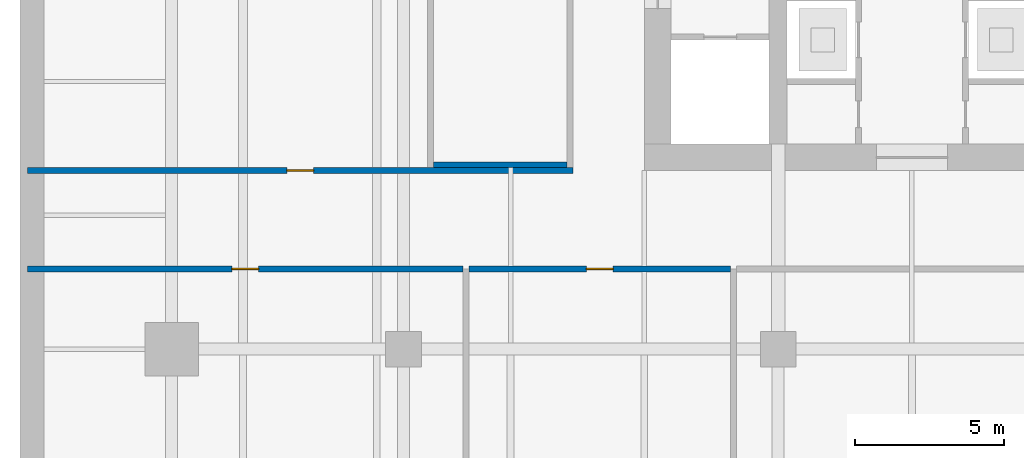
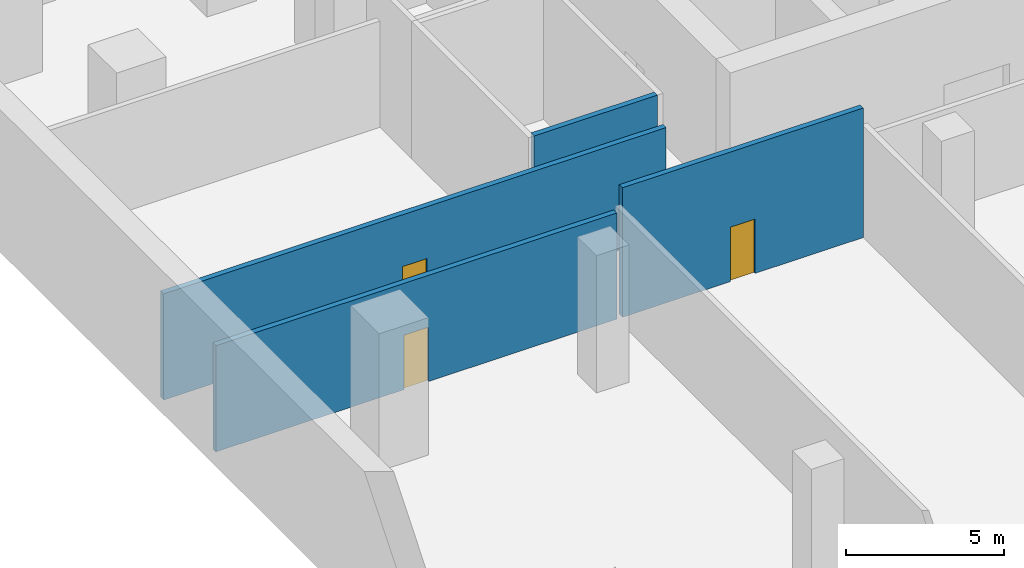
# One storey, part 4 of 11: 4 walls, 3 doors, 3 openings.
"""IFC4 building model written with IfcOpenShell, lengths in metres."""

from ifc_helpers import new_model, si_unit, direction, frame, frame_2d, origin, place, context, subcontext, project, spatial, rectangle, extrude, material, layer, layer_set, type_object, element, fill, save


model = new_model("IFC4")

# Units and contexts
model_context = context("Model", 3, precision=1e-05, world=origin(), true_north=direction((0.0, 1.0)))
body_context = subcontext(model_context, "Body", "Model", "MODEL_VIEW")
ifc_project = project(units=[si_unit("LENGTHUNIT", "METRE"), si_unit("AREAUNIT", "SQUARE_METRE"), si_unit("VOLUMEUNIT", "CUBIC_METRE"), si_unit("PLANEANGLEUNIT", "RADIAN"), si_unit("MASSUNIT", "GRAM", prefix="KILO")], contexts=[model_context])

# Site, building, storey
site_placement = place(None, origin())
site = spatial("IfcSite", under=ifc_project, at=site_placement, CompositionType="ELEMENT")
building_placement = place(site_placement, origin())
building = spatial("IfcBuilding", under=site, at=building_placement, Name="Rattan Terrace Tower", CompositionType="ELEMENT")
storey_placement = place(building_placement, frame((0.0, 0.0, -5.5)))
storey = spatial("IfcBuildingStorey", under=building, at=storey_placement, Name="B1", CompositionType="ELEMENT", Elevation=-5.5)

# Wall, opening, door
ifc_material_1 = material(Name="Concrete block wall, plastered", Category="concrete")
ifc_layer_1 = layer(ifc_material_1, 0.199951171875)
ifc_layer_set_1 = layer_set([ifc_layer_1], Name="Floors Plant Wall 200")
wall_type_1 = type_object("IfcWallType", Name="Floors Plant Wall 200", PredefinedType="PARTITIONING", material=ifc_layer_set_1)
wall_1_placement = place(storey_placement, frame((-24.10009765625, -10.800048828125, 0.0), z_axis=(0.0, 0.0, 1.0), x_axis=(-1.0, 0.0, 0.0)))
wall_1 = element("IfcWall", 1, at=wall_1_placement, inside=storey, type_object=wall_type_1, Name="pt-B1-001", PredefinedType="PARTITIONING", context=body_context, shape_type="SweptSolid", body=[
    extrude(rectangle(XDim=14.639892578125, YDim=0.199951171875, at=frame_2d((7.31982421875, 0.0))), origin(), (0.0, 0.0, 1.0), 4.10009765625),
])
opening_1_placement = place(wall_1_placement, frame((6.8701171875, 0.0, 0.0)))
opening_1 = element("IfcOpeningElement", 2, at=opening_1_placement, cuts=wall_1, Name="Opening B1-D100", PredefinedType="OPENING", context=body_context, shape_type="SweptSolid", body=[
    extrude(rectangle(XDim=0.89990234375, YDim=2.10009765625, at=frame_2d((0.449951171875, 1.050048828125))), frame((0.0, 0.110595703125, 0.0), z_axis=(0.0, -1.0, 0.0), x_axis=(1.0, 0.0, 0.0)), (0.0, 0.0, 1.0), 0.220947265625),
])
ifc_material_2 = material(Name="Steel fire door set", Category="steel")
door_type = type_object("IfcDoorType", Name="Floors Fire Door FD60 900x2100", OperationType="NOTDEFINED", PredefinedType="DOOR", material=ifc_material_2)
door_1_placement = place(opening_1_placement, origin())
door_1 = element("IfcDoor", 3, at=door_1_placement, inside=storey, type_object=door_type, Name="d-B1-100", OperationType="SINGLE_SWING_LEFT", OverallHeight=2.10009765625, OverallWidth=0.89990234375, PredefinedType="DOOR", context=body_context, shape_type="SweptSolid", body=[
    extrude(rectangle(XDim=0.89990234375, YDim=2.10009765625, at=frame_2d((0.449951171875, 1.050048828125))), frame((0.0, 0.02490234375, 0.0), z_axis=(0.0, -1.0, 0.0), x_axis=(1.0, 0.0, 0.0)), (0.0, 0.0, 1.0), 0.050048828125),
])
fill(opening_1, door_1)

wall_2_placement = place(storey_placement, frame((-15.10009765625, -10.800048828125, 0.0), z_axis=(0.0, 0.0, 1.0), x_axis=(-1.0, 0.0, 0.0)))
wall_2 = element("IfcWall", 4, at=wall_2_placement, inside=storey, type_object=wall_type_1, Name="pt-B1-002", PredefinedType="PARTITIONING", context=body_context, shape_type="SweptSolid", body=[
    extrude(rectangle(XDim=8.7998046875, YDim=0.199951171875, at=frame_2d((4.39990234375, 0.0))), origin(), (0.0, 0.0, 1.0), 5.0),
])
opening_2_placement = place(wall_2_placement, frame((3.949951171875, 0.0, 0.0)))
opening_2 = element("IfcOpeningElement", 5, at=opening_2_placement, cuts=wall_2, Name="Opening B1-D101", PredefinedType="OPENING", context=body_context, shape_type="SweptSolid", body=[
    extrude(rectangle(XDim=0.89990234375, YDim=2.10009765625, at=frame_2d((0.449951171875, 1.050048828125))), frame((0.0, 0.110595703125, 0.0), z_axis=(0.0, -1.0, 0.0), x_axis=(1.0, 0.0, 0.0)), (0.0, 0.0, 1.0), 0.220947265625),
])
door_2_placement = place(opening_2_placement, origin())
door_2 = element("IfcDoor", 6, at=door_2_placement, inside=storey, type_object=door_type, Name="d-B1-101", OperationType="SINGLE_SWING_RIGHT", OverallHeight=2.10009765625, OverallWidth=0.89990234375, PredefinedType="DOOR", context=body_context, shape_type="SweptSolid", body=[
    extrude(rectangle(XDim=0.89990234375, YDim=2.10009765625, at=frame_2d((0.449951171875, 1.050048828125))), frame((0.0, 0.02490234375, 0.0), z_axis=(0.0, -1.0, 0.0), x_axis=(1.0, 0.0, 0.0)), (0.0, 0.0, 1.0), 0.050048828125),
])
fill(opening_2, door_2)

wall_3_placement = place(storey_placement, frame((-38.739990234375, -7.5, 0.0), z_axis=(0.0, 0.0, 1.0), x_axis=(1.0, 0.0, 0.0)))
wall_3 = element("IfcWall", 7, at=wall_3_placement, inside=storey, type_object=wall_type_1, Name="pt-B1-008", PredefinedType="PARTITIONING", context=body_context, shape_type="SweptSolid", body=[
    extrude(rectangle(XDim=18.340087890625, YDim=0.199951171875, at=frame_2d((9.169921875, 0.0))), origin(), (0.0, 0.0, 1.0), 4.10009765625),
])
opening_3_placement = place(wall_3_placement, frame((8.719970703125, 0.0, 0.0)))
opening_3 = element("IfcOpeningElement", 8, at=opening_3_placement, cuts=wall_3, Name="Opening B1-D105", PredefinedType="OPENING", context=body_context, shape_type="SweptSolid", body=[
    extrude(rectangle(XDim=0.89990234375, YDim=2.10009765625, at=frame_2d((0.449951171875, 1.050048828125))), frame((0.0, 0.110595703125, 0.0), z_axis=(0.0, -1.0, 0.0), x_axis=(1.0, 0.0, 0.0)), (0.0, 0.0, 1.0), 0.220947265625),
])
door_3_placement = place(opening_3_placement, origin())
door_3 = element("IfcDoor", 9, at=door_3_placement, inside=storey, type_object=door_type, Name="d-B1-105", OperationType="SINGLE_SWING_RIGHT", OverallHeight=2.10009765625, OverallWidth=0.89990234375, PredefinedType="DOOR", context=body_context, shape_type="SweptSolid", body=[
    extrude(rectangle(XDim=0.89990234375, YDim=2.10009765625, at=frame_2d((0.449951171875, 1.050048828125))), frame((0.0, 0.02490234375, 0.0), z_axis=(0.0, -1.0, 0.0), x_axis=(1.0, 0.0, 0.0)), (0.0, 0.0, 1.0), 0.050048828125),
])
fill(opening_3, door_3)

# Wall
ifc_material_3 = material(Name="Concrete C40/50", Category="concrete")
ifc_layer_2 = layer(ifc_material_3, 0.199951171875)
ifc_layer_set_2 = layer_set([ifc_layer_2], Name="Podium exit stair shaft wall 200")
wall_type_2 = type_object("IfcWallType", Name="Podium exit stair shaft wall 200", PredefinedType="SHEAR", material=ifc_layer_set_2)
wall_4_placement = place(storey_placement, frame((-25.10009765625, -7.300048828125, -0.199951171875), z_axis=(0.0, 0.0, 1.0), x_axis=(1.0, 0.0, 0.0)))
element("IfcWall", 10, at=wall_4_placement, inside=storey, type_object=wall_type_2, Name="B1 stair S4 shaft wall", PredefinedType="SHEAR", context=body_context, shape_type="SweptSolid", body=[
    extrude(rectangle(XDim=4.5, YDim=0.199951171875, at=frame_2d((2.25, 0.0))), origin(), (0.0, 0.0, 1.0), 5.5),
])

save(model, "model.ifc")
